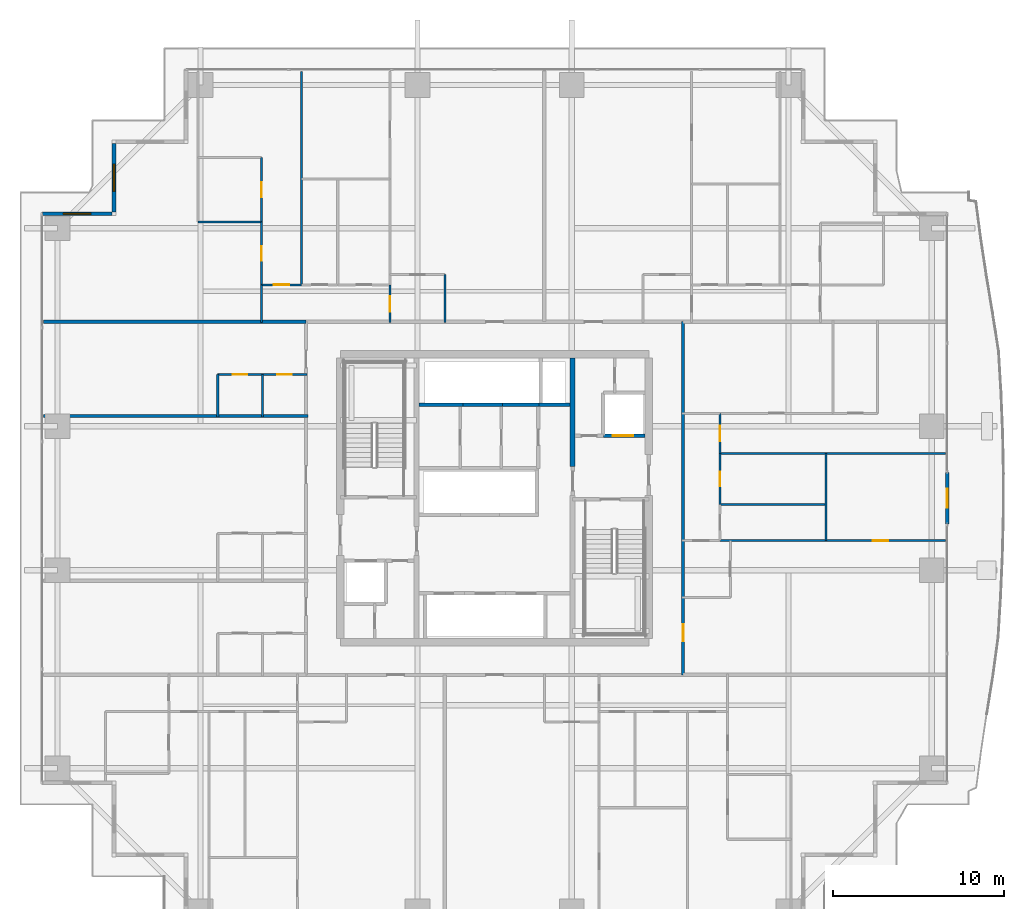
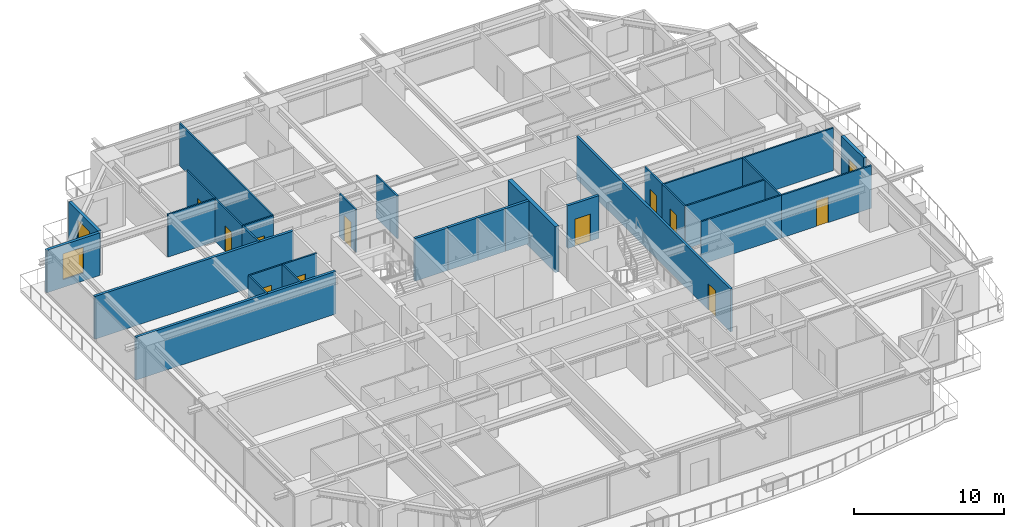
# One storey, part 30 of 39: 31 walls, 12 doors, 2 windows, 14 openings.
"""IFC4 building model written with IfcOpenShell, lengths in metres."""

import ifcopenshell
import ifcopenshell.guid

model = None  # the IFC model being written
_history = None  # IfcOwnerHistory: only IFC2X3 demands one
_inside = {}  # id of a spatial element -> (the spatial element, [elements in it])
_under = {}  # id of a project, library or spatial element -> (it, [spatial elements below it])
_declared = {}  # id of a project -> (the project, [libraries it declares])
_typed = {}  # id of a type object -> (the type object, [elements of that type])
_made_of = {}  # id of a material, layer set ... -> (it, [elements and type objects made of it])


def new_model(schema):
    """Start an empty IFC model of exactly this schema.

    Asked for "IFC4X3", IfcOpenShell would pick the latest addendum, in which some entities
    have other attributes; the version numbers below select the first issue.
    IFC2X3 requires an IfcOwnerHistory on every rooted entity: one is made here for all.
    """
    global model, _history
    if schema == "IFC4X3":
        model = ifcopenshell.file(schema_version=(4, 3, 0, 0))
    else:
        model = ifcopenshell.file(schema=schema)
    _inside.clear()
    _under.clear()
    _declared.clear()
    _typed.clear()
    _made_of.clear()
    _history = None
    if model.schema == "IFC2X3":
        org = make("IfcOrganization", Name="unknown")
        user = make(
            "IfcPersonAndOrganization",
            ThePerson=make("IfcPerson", FamilyName="unknown"),
            TheOrganization=org,
        )
        app = make(
            "IfcApplication",
            ApplicationDeveloper=org,
            Version="unknown",
            ApplicationFullName="unknown",
            ApplicationIdentifier="unknown",
        )
        _history = make(
            "IfcOwnerHistory",
            OwningUser=user,
            OwningApplication=app,
            ChangeAction="ADDED",
            CreationDate=0,
        )
    return model


def make(cls, **values):
    """One entity of the class cls with the attributes given. An attribute that is None is left unset."""
    return model.create_entity(
        cls, **{name: value for name, value in values.items() if value is not None}
    )


def rooted(cls, **values):
    """An entity with a GlobalId (a new one), such as an element, a storey or a relation."""
    return make(cls, GlobalId=ifcopenshell.guid.new(), OwnerHistory=_history, **values)


def si_unit(unit_type, name, prefix=None):
    """IfcSIUnit, for example si_unit("LENGTHUNIT", "METRE", prefix="MILLI")."""
    return make("IfcSIUnit", UnitType=unit_type, Prefix=prefix, Name=name)


def assignment(units):
    """IfcUnitAssignment: the units of a project."""
    return None if units is None else make("IfcUnitAssignment", Units=units)


def point(xyz):
    """IfcCartesianPoint."""
    return None if xyz is None else make("IfcCartesianPoint", Coordinates=xyz)


def direction(xyz):
    """IfcDirection."""
    return None if xyz is None else make("IfcDirection", DirectionRatios=xyz)


def frame(location, z_axis=None, x_axis=None):
    """IfcAxis2Placement3D, a coordinate frame: its origin and axes. An axis left out is left unset."""
    return make(
        "IfcAxis2Placement3D",
        Location=point(location),
        Axis=direction(z_axis),
        RefDirection=direction(x_axis),
    )


def frame_2d(location, x_axis=None):
    """IfcAxis2Placement2D, a coordinate frame in the plane: its origin and x axis."""
    return make(
        "IfcAxis2Placement2D", Location=point(location), RefDirection=direction(x_axis)
    )


def origin():
    """The frame at (0, 0, 0) with its axes left unset."""
    return frame((0.0, 0.0, 0.0))


def place(relative_to, where):
    """IfcLocalPlacement: puts the frame where relative to a parent placement (None: the world)."""
    return make(
        "IfcLocalPlacement", PlacementRelTo=relative_to, RelativePlacement=where
    )


def context(
    kind, dimensions, precision=None, world=None, true_north=None, identifier=None
):
    """IfcGeometricRepresentationContext, for example the 3D "Model" context."""
    return make(
        "IfcGeometricRepresentationContext",
        ContextIdentifier=identifier,
        ContextType=kind,
        CoordinateSpaceDimension=dimensions,
        Precision=precision,
        WorldCoordinateSystem=world,
        TrueNorth=true_north,
    )


def subcontext(parent, identifier, kind, view, scale=None):
    """IfcGeometricRepresentationSubContext, for example "Body" below "Model"."""
    return make(
        "IfcGeometricRepresentationSubContext",
        ContextIdentifier=identifier,
        ContextType=kind,
        ParentContext=parent,
        TargetScale=scale,
        TargetView=view,
    )


def project(units=None, contexts=None):
    """IfcProject with its units and contexts."""
    return rooted(
        "IfcProject",
        Name="project",
        RepresentationContexts=contexts,
        UnitsInContext=assignment(units),
    )


def spatial(cls, under=None, at=None, **own):
    """A site, building, storey or space (cls), placed at a placement, below another one or the project."""
    s = rooted(cls, ObjectPlacement=at, **own)
    if under is not None:
        _under.setdefault(under.id(), (under, []))[1].append(s)
    return s


def profile(cls, at=None, kind="AREA", **sizes):
    """A parametric profile (cls). Its sizes go by their IFC names, for example OverallWidth=200.0."""
    return make(cls, ProfileType=kind, Position=at, **sizes)


def rectangle(**sizes):
    """IfcRectangleProfileDef."""
    return profile("IfcRectangleProfileDef", **sizes)


def extrude(swept, where, along, depth):
    """IfcExtrudedAreaSolid: the profile swept, set in the frame where, extruded along a direction by depth."""
    return make(
        "IfcExtrudedAreaSolid",
        SweptArea=swept,
        Position=where,
        ExtrudedDirection=direction(along),
        Depth=depth,
    )


def shape(context_of_items, identifier, shape_type, items):
    """IfcShapeRepresentation: the items that make up one representation, for example the "Body"."""
    return make(
        "IfcShapeRepresentation",
        ContextOfItems=context_of_items,
        RepresentationIdentifier=identifier,
        RepresentationType=shape_type,
        Items=items,
    )


def source(mapping_origin, context_of_items, identifier, shape_type, items):
    """IfcRepresentationMap: a shape defined once, which mapped items show again and again."""
    return make(
        "IfcRepresentationMap",
        MappingOrigin=mapping_origin,
        MappedRepresentation=shape(context_of_items, identifier, shape_type, items),
    )


def transform(
    local_origin,
    x_axis=None,
    y_axis=None,
    z_axis=None,
    scale=None,
    scale2=None,
    scale3=None,
    uniform=True,
):
    """IfcCartesianTransformationOperator3D, or its non-uniform kind. x_axis, y_axis, z_axis: its Axis1, 2, 3."""
    if uniform:
        return make(
            "IfcCartesianTransformationOperator3D",
            Axis1=direction(x_axis),
            Axis2=direction(y_axis),
            LocalOrigin=point(local_origin),
            Scale=scale,
            Axis3=direction(z_axis),
        )
    return make(
        "IfcCartesianTransformationOperator3DnonUniform",
        Axis1=direction(x_axis),
        Axis2=direction(y_axis),
        LocalOrigin=point(local_origin),
        Scale=scale,
        Axis3=direction(z_axis),
        Scale2=scale2,
        Scale3=scale3,
    )


def mapped(mapping_source, mapping_target):
    """IfcMappedItem: shows the shape of a source again, moved by a transform."""
    return make(
        "IfcMappedItem", MappingSource=mapping_source, MappingTarget=mapping_target
    )


def material(Name=None, Category=None):
    """IfcMaterial."""
    return make("IfcMaterial", Name=Name, Category=Category)


def layer(
    of_material, thickness, ventilated=None, Name=None, Category=None, Priority=None
):
    """IfcMaterialLayer: one layer of a wall or slab, of a material (None: an air gap)."""
    return make(
        "IfcMaterialLayer",
        Material=of_material,
        LayerThickness=thickness,
        IsVentilated=ventilated,
        Name=Name,
        Category=Category,
        Priority=Priority,
    )


def layer_set(layers, Name=None):
    """IfcMaterialLayerSet."""
    return make("IfcMaterialLayerSet", MaterialLayers=layers, LayerSetName=Name)


def made_of(thing, what):
    """Note that an element or type object is made of a material, layer set ...; save() writes the relation."""
    if what is not None:
        _made_of.setdefault(what.id(), (what, []))[1].append(thing)
    return thing


def type_object(cls, material=None, **own):
    """A type object (cls), such as IfcWallType, which elements share."""
    return made_of(rooted(cls, **own), material)


def element(
    cls,
    number,
    at=None,
    inside=None,
    cuts=None,
    type_object=None,
    material=None,
    context=None,
    identifier="Body",
    shape_type=None,
    held_by="IfcProductDefinitionShape",
    body=None,
    shapes=None,
    **own,
):
    """One element of the class cls, such as IfcWall. Its Tag is "e" and its number.

    at: its placement. inside: the storey or other place that contains it. cuts: it is an
    opening in that element (IfcRelVoidsElement). A single representation is given by context,
    identifier, shape_type and body (its items); several are given by shapes. held_by: the class
    of the entity that holds the representations. save() writes the other relations.
    """
    e = rooted(cls, Tag="e%d" % number, ObjectPlacement=at, **own)
    if body is not None:
        shapes = [shape(context, identifier, shape_type, body)]
    if shapes is not None:
        e.Representation = make(held_by, Representations=shapes)
    if inside is not None:
        _inside.setdefault(inside.id(), (inside, []))[1].append(e)
    if cuts is not None:
        rooted(
            "IfcRelVoidsElement", RelatingBuildingElement=cuts, RelatedOpeningElement=e
        )
    if type_object is not None:
        _typed.setdefault(type_object.id(), (type_object, []))[1].append(e)
    return made_of(e, material)


def fill(opening, filler):
    """IfcRelFillsElement: the door or window that sits in an opening."""
    return rooted(
        "IfcRelFillsElement",
        RelatingOpeningElement=opening,
        RelatedBuildingElement=filler,
    )


def aggregate(whole, parts):
    """IfcRelAggregates: a whole, such as a stair, and the parts it consists of."""
    return rooted("IfcRelAggregates", RelatingObject=whole, RelatedObjects=parts)


def save(model, path):
    """Write the relations noted so far, then the file.

    IfcRelAggregates (storeys below a building ...), IfcRelContainedInSpatialStructure (elements
    in a storey), IfcRelDefinesByType, IfcRelAssociatesMaterial and IfcRelDeclares: one each for
    every whole, place, type object, material and project.
    """
    for whole, parts in _under.values():
        aggregate(whole, parts)
    for where, things in _inside.values():
        rooted(
            "IfcRelContainedInSpatialStructure",
            RelatedElements=things,
            RelatingStructure=where,
        )
    for kind, things in _typed.values():
        rooted("IfcRelDefinesByType", RelatedObjects=things, RelatingType=kind)
    for what, things in _made_of.values():
        rooted("IfcRelAssociatesMaterial", RelatedObjects=things, RelatingMaterial=what)
    for by, libraries in _declared.values():
        rooted("IfcRelDeclares", RelatingContext=by, RelatedDefinitions=libraries)
    model.write(path)


model = new_model("IFC4")

# Units and contexts
model_context = context("Model", 3, precision=1e-05, world=origin(), true_north=direction((0.0, 1.0)))
body_context = subcontext(model_context, "Body", "Model", "MODEL_VIEW")
ifc_project = project(units=[si_unit("LENGTHUNIT", "METRE"), si_unit("AREAUNIT", "SQUARE_METRE"), si_unit("VOLUMEUNIT", "CUBIC_METRE"), si_unit("PLANEANGLEUNIT", "RADIAN"), si_unit("MASSUNIT", "GRAM", prefix="KILO")], contexts=[model_context])

# Site, building, storey
site_placement = place(None, origin())
site = spatial("IfcSite", under=ifc_project, at=site_placement, CompositionType="ELEMENT")
building_placement = place(site_placement, origin())
building = spatial("IfcBuilding", under=site, at=building_placement, Name="Serunith Strait Residences", CompositionType="ELEMENT")
storey_placement = place(building_placement, frame((0.0, 0.0, 79.199951171875)))
storey = spatial("IfcBuildingStorey", under=building, at=storey_placement, Name="L19", CompositionType="ELEMENT", Elevation=79.199951171875)

# Wall, opening, door
ifc_material_1 = material(Name="Pale-Champagne Aluminium Insulated Panel", Category="aluminium")
ifc_layer_1 = layer(ifc_material_1, 0.219970703125, Name="Pale-Champagne Aluminium Insulated Panel")
ifc_layer_set_1 = layer_set([ifc_layer_1], Name="Pale-Champagne Aluminium Insulated Panel")
wall_type_1 = type_object("IfcWallType", Name="EW-ALUM-220", PredefinedType="ELEMENTEDWALL", material=ifc_layer_set_1)
wall_1_placement = place(storey_placement, frame((58.800048828125, 23.699951171875, 0.0), z_axis=(0.0, 0.0, 1.0), x_axis=(0.0, 1.0, 0.0)))
wall_1 = element("IfcWall", 1, at=wall_1_placement, inside=storey, type_object=wall_type_1, Name="L19 E Facade Pier Wall", PredefinedType="ELEMENTEDWALL", context=body_context, shape_type="SweptSolid", body=[
    extrude(rectangle(XDim=3.0, YDim=0.219970703125, at=frame_2d((1.5, 0.0))), origin(), (0.0, 0.0, 1.0), 3.47509765625),
])
opening_1_placement = place(wall_1_placement, frame((0.949951171875, 0.0, 0.0)))
opening_1 = element("IfcOpeningElement", 2, at=opening_1_placement, cuts=wall_1, Name="Opening ED-03", PredefinedType="OPENING", context=body_context, shape_type="SweptSolid", body=[
    extrude(rectangle(XDim=1.10009765625, YDim=2.199951171875, at=frame_2d((0.550048828125, 1.10009765625))), frame((0.0, 0.1201171875, 0.0), z_axis=(0.0, -1.0, 0.0), x_axis=(1.0, 0.0, 0.0)), (0.0, 0.0, 1.0), 0.239990234375),
])
ifc_material_2 = material(Name="Thermally-Broken Aluminium Glazed Balcony Door", Category="aluminium")
door_type_1 = type_object("IfcDoorType", Name="ED-BALC-1100", OperationType="NOTDEFINED", PredefinedType="DOOR", material=ifc_material_2)
shared_shape_1 = source(origin(), body_context, "Body", "SweptSolid", [
    extrude(rectangle(XDim=1.10009765625, YDim=2.199951171875, at=frame_2d((0.550048828125, 1.10009765625))), frame((0.0, 0.02490234375, 0.0), z_axis=(0.0, -1.0, 0.0), x_axis=(1.0, 0.0, 0.0)), (0.0, 0.0, 1.0), 0.050048828125),
])
door_1_placement = place(opening_1_placement, origin())
door_1 = element("IfcDoor", 3, at=door_1_placement, inside=storey, type_object=door_type_1, Name="L19 E Vertical-Forest Balcony Door", OperationType="SINGLE_SWING_RIGHT", OverallHeight=2.199951171875, OverallWidth=1.10009765625, PredefinedType="DOOR", context=body_context, shape_type="MappedRepresentation", body=[
    mapped(shared_shape_1, transform((0.0, 0.0, 0.0), scale=1.0)),
])
fill(opening_1, door_1)

# Wall, opening, window
wall_2_placement = place(storey_placement, frame((10.199951171875, 45.889892578125, 0.0), z_axis=(0.0, 0.0, 1.0), x_axis=(0.0, -1.0, 0.0)))
wall_2 = element("IfcWall", 4, at=wall_2_placement, inside=storey, type_object=wall_type_1, Name="L19 Girih Serrated Corner Wall 14", PredefinedType="ELEMENTEDWALL", context=body_context, shape_type="SweptSolid", body=[
    extrude(rectangle(XDim=3.97998046875, YDim=0.219970703125, at=frame_2d((1.989990234375, 0.0))), origin(), (0.0, 0.0, 1.0), 3.47509765625),
])
opening_2_placement = place(wall_2_placement, frame((1.18994140625, 0.0, 0.64990234375)))
opening_2 = element("IfcOpeningElement", 5, at=opening_2_placement, cuts=wall_2, Name="Opening W-02", PredefinedType="OPENING", context=body_context, shape_type="SweptSolid", body=[
    extrude(rectangle(XDim=1.60009765625, YDim=2.10009765625, at=frame_2d((0.800048828125, 1.050048828125))), frame((0.0, 0.1201171875, 0.0), z_axis=(0.0, -1.0, 0.0), x_axis=(1.0, 0.0, 0.0)), (0.0, 0.0, 1.0), 0.239990234375),
])
ifc_material_3 = material(Name="Ceramic-Fritted Operable Aluminium Window Glass", Category="aluminium")
window_type = type_object("IfcWindowType", Name="WIN-C2", PartitioningType="DOUBLE_PANEL_VERTICAL", PredefinedType="WINDOW", material=ifc_material_3)
shared_shape_2 = source(origin(), body_context, "Body", "SweptSolid", [
    extrude(rectangle(XDim=1.60009765625, YDim=2.10009765625, at=frame_2d((0.800048828125, 1.050048828125))), frame((0.0, 0.030029296875, 0.0), z_axis=(0.0, -1.0, 0.0), x_axis=(1.0, 0.0, 0.0)), (0.0, 0.0, 1.0), 0.06005859375),
])
window_1_placement = place(opening_2_placement, origin())
window_1 = element("IfcWindow", 6, at=window_1_placement, inside=storey, type_object=window_type, Name="L19 Corner Operable Fritted Window 14", OverallHeight=2.10009765625, OverallWidth=1.60009765625, PartitioningType="SINGLE_PANEL", PredefinedType="WINDOW", context=body_context, shape_type="MappedRepresentation", body=[
    mapped(shared_shape_2, transform((0.0, 0.0, 0.0), scale=1.0)),
])
fill(opening_2, window_1)

wall_3_placement = place(storey_placement, frame((10.090087890625, 41.800048828125, 0.0), z_axis=(0.0, 0.0, 1.0), x_axis=(-1.0, 0.0, 0.0)))
wall_3 = element("IfcWall", 7, at=wall_3_placement, inside=storey, type_object=wall_type_1, Name="L19 Girih Serrated Corner Wall 15", PredefinedType="ELEMENTEDWALL", context=body_context, shape_type="SweptSolid", body=[
    extrude(rectangle(XDim=4.090087890625, YDim=0.219970703125, at=frame_2d((2.044921875, 0.0))), origin(), (0.0, 0.0, 1.0), 3.47509765625),
])
opening_3_placement = place(wall_3_placement, frame((1.2451171875, 0.0, 0.64990234375)))
opening_3 = element("IfcOpeningElement", 8, at=opening_3_placement, cuts=wall_3, Name="Opening W-02", PredefinedType="OPENING", context=body_context, shape_type="SweptSolid", body=[
    extrude(rectangle(XDim=1.60009765625, YDim=2.10009765625, at=frame_2d((0.800048828125, 1.050048828125))), frame((0.0, 0.1201171875, 0.0), z_axis=(0.0, -1.0, 0.0), x_axis=(1.0, 0.0, 0.0)), (0.0, 0.0, 1.0), 0.239990234375),
])
window_2_placement = place(opening_3_placement, origin())
window_2 = element("IfcWindow", 9, at=window_2_placement, inside=storey, type_object=window_type, Name="L19 Corner Operable Fritted Window 15", OverallHeight=2.10009765625, OverallWidth=1.60009765625, PartitioningType="SINGLE_PANEL", PredefinedType="WINDOW", context=body_context, shape_type="MappedRepresentation", body=[
    mapped(shared_shape_2, transform((0.0, 0.0, 0.0), scale=1.0)),
])
fill(opening_3, window_2)

# Wall, opening, door
ifc_material_4 = material(Name="Fire-rated acoustic gypsum partition")
ifc_layer_2 = layer(ifc_material_4, 0.179931640625, Name="Fire-rated acoustic gypsum partition")
ifc_layer_set_2 = layer_set([ifc_layer_2], Name="Fire-rated acoustic gypsum partition")
wall_type_2 = type_object("IfcWallType", Name="IW-CORR-180", PredefinedType="PARTITIONING", material=ifc_layer_set_2)
wall_4_placement = place(storey_placement, frame((43.39990234375, 14.89990234375, 0.0), z_axis=(0.0, 0.0, 1.0), x_axis=(0.0, 1.0, 0.0)))
wall_4 = element("IfcWall", 10, at=wall_4_placement, inside=storey, type_object=wall_type_2, Name="L19 Partition Wall 028", PredefinedType="PARTITIONING", context=body_context, shape_type="SweptSolid", body=[
    extrude(rectangle(XDim=20.60009765625, YDim=0.179931640625, at=frame_2d((10.300048828125, 0.0))), origin(), (0.0, 0.0, 1.0), 3.489990234375),
])
opening_4_placement = place(wall_4_placement, frame((1.9599609375, 0.0, 0.0)))
opening_4 = element("IfcOpeningElement", 11, at=opening_4_placement, cuts=wall_4, Name="Opening D-APT1000", PredefinedType="OPENING", context=body_context, shape_type="SweptSolid", body=[
    extrude(rectangle(XDim=1.0, YDim=2.14990234375, at=frame_2d((0.5, 1.074951171875))), frame((0.0, 0.10009765625, 0.0), z_axis=(0.0, -1.0, 0.0), x_axis=(1.0, 0.0, 0.0)), (0.0, 0.0, 1.0), 0.199951171875),
])
ifc_material_5 = material(Name="Solid timber engineered fire door", Category="wood")
door_type_2 = type_object("IfcDoorType", Name="ID-APT-1000", OperationType="NOTDEFINED", PredefinedType="DOOR", material=ifc_material_5)
shared_shape_3 = source(origin(), body_context, "Body", "SweptSolid", [
    extrude(rectangle(XDim=1.0, YDim=2.14990234375, at=frame_2d((0.5, 1.074951171875))), frame((0.0, 0.02490234375, 0.0), z_axis=(0.0, -1.0, 0.0), x_axis=(1.0, 0.0, 0.0)), (0.0, 0.0, 1.0), 0.050048828125),
])
door_2_placement = place(opening_4_placement, origin())
door_2 = element("IfcDoor", 12, at=door_2_placement, inside=storey, type_object=door_type_2, Name="L19 Unit 08 Entrance Door", OperationType="SINGLE_SWING_LEFT", OverallHeight=2.14990234375, OverallWidth=1.0, PredefinedType="DOOR", context=body_context, shape_type="MappedRepresentation", body=[
    mapped(shared_shape_3, transform((0.0, 0.0, 0.0), scale=1.0)),
])
fill(opening_4, door_2)

# Wall
ifc_material_6 = material(Name="Lightweight steel-stud gypsum partition", Category="steel")
ifc_layer_3 = layer(ifc_material_6, 0.1201171875, Name="Lightweight steel-stud gypsum partition")
ifc_layer_set_3 = layer_set([ifc_layer_3], Name="Lightweight steel-stud gypsum partition")
wall_type_3 = type_object("IfcWallType", Name="IW-PART-120", PredefinedType="PARTITIONING", material=ifc_layer_set_3)
wall_5_placement = place(storey_placement, frame((29.5, 38.25, 0.0), z_axis=(0.0, 0.0, 1.0), x_axis=(0.0, -1.0, 0.0)))
element("IfcWall", 13, at=wall_5_placement, inside=storey, type_object=wall_type_3, Name="L19 Partition Wall 063", PredefinedType="PARTITIONING", context=body_context, shape_type="SweptSolid", body=[
    extrude(rectangle(XDim=2.81005859375, YDim=0.1201171875, at=frame_2d((1.405029296875, 0.0))), origin(), (0.0, 0.0, 1.0), 3.489990234375),
])

# Wall, opening, door
wall_6_placement = place(storey_placement, frame((26.300048828125, 37.64990234375, 0.0), z_axis=(0.0, 0.0, 1.0), x_axis=(0.0, -1.0, 0.0)))
wall_6 = element("IfcWall", 14, at=wall_6_placement, inside=storey, type_object=wall_type_3, Name="L19 Partition Wall 064", PredefinedType="PARTITIONING", context=body_context, shape_type="SweptSolid", body=[
    extrude(rectangle(XDim=2.2099609375, YDim=0.1201171875, at=frame_2d((1.10498046875, 0.0))), origin(), (0.0, 0.0, 1.0), 3.489990234375),
])
opening_5_placement = place(wall_6_placement, frame((0.655029296875, 0.0, 0.0)))
opening_5 = element("IfcOpeningElement", 15, at=opening_5_placement, cuts=wall_6, Name="Opening D-RM900", PredefinedType="OPENING", context=body_context, shape_type="SweptSolid", body=[
    extrude(rectangle(XDim=0.89990234375, YDim=2.10009765625, at=frame_2d((0.449951171875, 1.050048828125))), frame((0.0, 0.070068359375, 0.0), z_axis=(0.0, -1.0, 0.0), x_axis=(1.0, 0.0, 0.0)), (0.0, 0.0, 1.0), 0.14013671875),
])
ifc_material_7 = material(Name="Engineered timber flush bedroom door", Category="wood")
door_type_3 = type_object("IfcDoorType", Name="ID-ROOM-900", OperationType="NOTDEFINED", PredefinedType="DOOR", material=ifc_material_7)
shared_shape_4 = source(origin(), body_context, "Body", "SweptSolid", [
    extrude(rectangle(XDim=0.89990234375, YDim=2.10009765625, at=frame_2d((0.449951171875, 1.050048828125))), frame((0.0, 0.02490234375, 0.0), z_axis=(0.0, -1.0, 0.0), x_axis=(1.0, 0.0, 0.0)), (0.0, 0.0, 1.0), 0.050048828125),
])
door_3_placement = place(opening_5_placement, origin())
door_3 = element("IfcDoor", 16, at=door_3_placement, inside=storey, type_object=door_type_3, Name="L19 Hall W 1903 Door", OperationType="SINGLE_SWING_LEFT", OverallHeight=2.10009765625, OverallWidth=0.89990234375, PredefinedType="DOOR", context=body_context, shape_type="MappedRepresentation", body=[
    mapped(shared_shape_4, transform((0.0, 0.0, 0.0), scale=1.0)),
])
fill(opening_5, door_3)

# Wall
wall_7_placement = place(storey_placement, frame((21.14990234375, 50.10498046875, 0.0), z_axis=(0.0, 0.0, 1.0), x_axis=(0.0, -1.0, 0.0)))
element("IfcWall", 17, at=wall_7_placement, inside=storey, type_object=wall_type_3, Name="L19 Partition Wall 068", PredefinedType="PARTITIONING", context=body_context, shape_type="SweptSolid", body=[
    extrude(rectangle(XDim=12.455078125, YDim=0.1201171875, at=frame_2d((6.2275390625, 0.0))), origin(), (0.0, 0.0, 1.0), 3.489990234375),
])

# Wall, opening, door
wall_8_placement = place(storey_placement, frame((18.800048828125, 37.64990234375, 0.0), z_axis=(0.0, 0.0, 1.0), x_axis=(1.0, 0.0, 0.0)))
wall_8 = element("IfcWall", 18, at=wall_8_placement, inside=storey, type_object=wall_type_3, Name="L19 Partition Wall 072", PredefinedType="PARTITIONING", context=body_context, shape_type="SweptSolid", body=[
    extrude(rectangle(XDim=2.347900390625, YDim=0.1201171875, at=frame_2d((1.173828125, 0.0))), origin(), (0.0, 0.0, 1.0), 3.489990234375),
])
opening_6_placement = place(wall_8_placement, frame((0.72412109375, 0.0, 0.0)))
opening_6 = element("IfcOpeningElement", 19, at=opening_6_placement, cuts=wall_8, Name="Opening D-RM900", PredefinedType="OPENING", context=body_context, shape_type="SweptSolid", body=[
    extrude(rectangle(XDim=0.89990234375, YDim=2.10009765625, at=frame_2d((0.449951171875, 1.050048828125))), frame((0.0, 0.070068359375, 0.0), z_axis=(0.0, -1.0, 0.0), x_axis=(1.0, 0.0, 0.0)), (0.0, 0.0, 1.0), 0.14013671875),
])
door_4_placement = place(opening_6_placement, origin())
door_4 = element("IfcDoor", 20, at=door_4_placement, inside=storey, type_object=door_type_3, Name="L19 Master Bedroom W 1903 Door", OperationType="SINGLE_SWING_LEFT", OverallHeight=2.10009765625, OverallWidth=0.89990234375, PredefinedType="DOOR", context=body_context, shape_type="MappedRepresentation", body=[
    mapped(shared_shape_4, transform((0.0, 0.0, 0.0), scale=1.0)),
])
fill(opening_6, door_4)

# Wall
wall_9_placement = place(storey_placement, frame((15.10009765625, 41.306884765625, 0.0), z_axis=(0.0, 0.0, 1.0), x_axis=(1.0, 0.0, 0.0)))
element("IfcWall", 21, at=wall_9_placement, inside=storey, type_object=wall_type_3, Name="L19 Partition Wall 075", PredefinedType="PARTITIONING", context=body_context, shape_type="SweptSolid", body=[
    extrude(rectangle(XDim=3.699951171875, YDim=0.1201171875, at=frame_2d((1.85009765625, 0.0))), origin(), (0.0, 0.0, 1.0), 3.489990234375),
])

# Wall, opening, door
wall_10_placement = place(storey_placement, frame((18.800048828125, 45.091064453125, 0.0), z_axis=(0.0, 0.0, 1.0), x_axis=(0.0, -1.0, 0.0)))
wall_10 = element("IfcWall", 22, at=wall_10_placement, inside=storey, type_object=wall_type_3, Name="L19 Partition Wall 076", PredefinedType="PARTITIONING", context=body_context, shape_type="SweptSolid", body=[
    extrude(rectangle(XDim=3.7841796875, YDim=0.1201171875, at=frame_2d((1.89208984375, 0.0))), origin(), (0.0, 0.0, 1.0), 3.489990234375),
])
opening_7_placement = place(wall_10_placement, frame((1.467041015625, 0.0, 0.0)))
opening_7 = element("IfcOpeningElement", 23, at=opening_7_placement, cuts=wall_10, Name="Opening D-BTH850", PredefinedType="OPENING", context=body_context, shape_type="SweptSolid", body=[
    extrude(rectangle(XDim=0.85009765625, YDim=2.10009765625, at=frame_2d((0.425048828125, 1.050048828125))), frame((0.0, 0.070068359375, 0.0), z_axis=(0.0, -1.0, 0.0), x_axis=(1.0, 0.0, 0.0)), (0.0, 0.0, 1.0), 0.14013671875),
])
ifc_material_8 = material(Name="Moisture-resistant timber bathroom door", Category="wood")
door_type_4 = type_object("IfcDoorType", Name="ID-BATH-850", OperationType="NOTDEFINED", PredefinedType="DOOR", material=ifc_material_8)
shared_shape_5 = source(origin(), body_context, "Body", "SweptSolid", [
    extrude(rectangle(XDim=0.85009765625, YDim=2.10009765625, at=frame_2d((0.425048828125, 1.050048828125))), frame((0.0, 0.02490234375, 0.0), z_axis=(0.0, -1.0, 0.0), x_axis=(1.0, 0.0, 0.0)), (0.0, 0.0, 1.0), 0.050048828125),
])
door_5_placement = place(opening_7_placement, origin())
door_5 = element("IfcDoor", 24, at=door_5_placement, inside=storey, type_object=door_type_4, Name="L19 En-suite Bathroom W 1903 Door", OperationType="SINGLE_SWING_RIGHT", OverallHeight=2.10009765625, OverallWidth=0.85009765625, PredefinedType="DOOR", context=body_context, shape_type="MappedRepresentation", body=[
    mapped(shared_shape_5, transform((0.0, 0.0, 0.0), scale=1.0)),
])
fill(opening_7, door_5)

wall_11_placement = place(storey_placement, frame((18.800048828125, 41.304931640625, 0.0), z_axis=(0.0, 0.0, 1.0), x_axis=(0.0, -1.0, 0.0)))
wall_11 = element("IfcWall", 25, at=wall_11_placement, inside=storey, type_object=wall_type_3, Name="L19 Partition Wall 077", PredefinedType="PARTITIONING", context=body_context, shape_type="SweptSolid", body=[
    extrude(rectangle(XDim=3.655029296875, YDim=0.1201171875, at=frame_2d((1.82763671875, 0.0))), origin(), (0.0, 0.0, 1.0), 3.489990234375),
])
opening_8_placement = place(wall_11_placement, frame((1.403076171875, 0.0, 0.0)))
opening_8 = element("IfcOpeningElement", 26, at=opening_8_placement, cuts=wall_11, Name="Opening D-RM850", PredefinedType="OPENING", context=body_context, shape_type="SweptSolid", body=[
    extrude(rectangle(XDim=0.85009765625, YDim=2.10009765625, at=frame_2d((0.425048828125, 1.050048828125))), frame((0.0, 0.070068359375, 0.0), z_axis=(0.0, -1.0, 0.0), x_axis=(1.0, 0.0, 0.0)), (0.0, 0.0, 1.0), 0.14013671875),
])
ifc_material_9 = material(Name="Engineered timber flush study and kitchen door", Category="wood")
door_type_5 = type_object("IfcDoorType", Name="ID-ROOM-850", OperationType="NOTDEFINED", PredefinedType="DOOR", material=ifc_material_9)
door_6_placement = place(opening_8_placement, origin())
door_6 = element("IfcDoor", 27, at=door_6_placement, inside=storey, type_object=door_type_5, Name="L19 Wardrobe W 1903 Door", OperationType="SINGLE_SWING_LEFT", OverallHeight=2.10009765625, OverallWidth=0.85009765625, PredefinedType="DOOR", context=body_context, shape_type="MappedRepresentation", body=[
    mapped(shared_shape_5, transform((0.0, 0.0, 0.0), scale=1.0)),
])
fill(opening_8, door_6)

# Wall
wall_12_placement = place(storey_placement, frame((18.800048828125, 37.64794921875, 0.0), z_axis=(0.0, 0.0, 1.0), x_axis=(0.0, -1.0, 0.0)))
element("IfcWall", 28, at=wall_12_placement, inside=storey, type_object=wall_type_3, Name="L19 Partition Wall 078", PredefinedType="PARTITIONING", context=body_context, shape_type="SweptSolid", body=[
    extrude(rectangle(XDim=2.2080078125, YDim=0.1201171875, at=frame_2d((1.10400390625, 0.0))), origin(), (0.0, 0.0, 1.0), 3.489990234375),
])

# Wall, opening, door
wall_13_placement = place(storey_placement, frame((16.25, 32.419921875, 0.0), z_axis=(0.0, 0.0, 1.0), x_axis=(1.0, 0.0, 0.0)))
wall_13 = element("IfcWall", 29, at=wall_13_placement, inside=storey, type_object=wall_type_3, Name="L19 Partition Wall 103", PredefinedType="PARTITIONING", context=body_context, shape_type="SweptSolid", body=[
    extrude(rectangle(XDim=2.60009765625, YDim=0.1201171875, at=frame_2d((1.300048828125, 0.0))), origin(), (0.0, 0.0, 1.0), 3.489990234375),
])
opening_9_placement = place(wall_13_placement, frame((0.875, 0.0, 0.0)))
opening_9 = element("IfcOpeningElement", 30, at=opening_9_placement, cuts=wall_13, Name="Opening D-RM850", PredefinedType="OPENING", context=body_context, shape_type="SweptSolid", body=[
    extrude(rectangle(XDim=0.85009765625, YDim=2.10009765625, at=frame_2d((0.425048828125, 1.050048828125))), frame((0.0, 0.070068359375, 0.0), z_axis=(0.0, -1.0, 0.0), x_axis=(1.0, 0.0, 0.0)), (0.0, 0.0, 1.0), 0.14013671875),
])
door_7_placement = place(opening_9_placement, origin())
door_7 = element("IfcDoor", 31, at=door_7_placement, inside=storey, type_object=door_type_5, Name="L19 Kitchen 1907 Door", OperationType="SINGLE_SWING_RIGHT", OverallHeight=2.10009765625, OverallWidth=0.85009765625, PredefinedType="DOOR", context=body_context, shape_type="MappedRepresentation", body=[
    mapped(shared_shape_5, transform((0.0, 0.0, 0.0), scale=1.0)),
])
fill(opening_9, door_7)

wall_14_placement = place(storey_placement, frame((18.85205078125, 32.419921875, 0.0), z_axis=(0.0, 0.0, 1.0), x_axis=(1.0, 0.0, 0.0)))
wall_14 = element("IfcWall", 32, at=wall_14_placement, inside=storey, type_object=wall_type_3, Name="L19 Partition Wall 104", PredefinedType="PARTITIONING", context=body_context, shape_type="SweptSolid", body=[
    extrude(rectangle(XDim=2.60791015625, YDim=0.1201171875, at=frame_2d((1.303955078125, 0.0))), origin(), (0.0, 0.0, 1.0), 3.489990234375),
])
opening_10_placement = place(wall_14_placement, frame((0.87890625, 0.0, 0.0)))
opening_10 = element("IfcOpeningElement", 33, at=opening_10_placement, cuts=wall_14, Name="Opening D-BTH850", PredefinedType="OPENING", context=body_context, shape_type="SweptSolid", body=[
    extrude(rectangle(XDim=0.85009765625, YDim=2.10009765625, at=frame_2d((0.425048828125, 1.050048828125))), frame((0.0, 0.070068359375, 0.0), z_axis=(0.0, -1.0, 0.0), x_axis=(1.0, 0.0, 0.0)), (0.0, 0.0, 1.0), 0.14013671875),
])
door_8_placement = place(opening_10_placement, origin())
door_8 = element("IfcDoor", 34, at=door_8_placement, inside=storey, type_object=door_type_4, Name="L19 Bathroom 1907 Door", OperationType="SINGLE_SWING_LEFT", OverallHeight=2.10009765625, OverallWidth=0.85009765625, PredefinedType="DOOR", context=body_context, shape_type="MappedRepresentation", body=[
    mapped(shared_shape_5, transform((0.0, 0.0, 0.0), scale=1.0)),
])
fill(opening_10, door_8)

# Walls
for number, where, z_axis, x_axis, name in (
    (35, (18.85009765625, 29.93994140625, 0.0), (0.0, 0.0, 1.0), (0.0, 1.0, 0.0), "L19 Partition Wall 105"),
    (36, (16.25, 29.93994140625, 0.0), (0.0, 0.0, 1.0), (0.0, 1.0, 0.0), "L19 Partition Wall 106"),
):
    element("IfcWall", number, at=place(storey_placement, frame(where, z_axis=z_axis, x_axis=x_axis)), inside=storey, type_object=wall_type_3, Name=name, PredefinedType="PARTITIONING", context=body_context, shape_type="SweptSolid", body=[
        extrude(rectangle(XDim=2.47998046875, YDim=0.1201171875, at=frame_2d((1.239990234375, 0.0))), origin(), (0.0, 0.0, 1.0), 3.489990234375),
    ])

# Wall, opening, door
wall_15_placement = place(storey_placement, frame((58.705078125, 22.72998046875, 0.0), z_axis=(0.0, 0.0, 1.0), x_axis=(-1.0, 0.0, 0.0)))
wall_15 = element("IfcWall", 37, at=wall_15_placement, inside=storey, type_object=wall_type_3, Name="L19 Partition Wall 110", PredefinedType="PARTITIONING", context=body_context, shape_type="SweptSolid", body=[
    extrude(rectangle(XDim=6.964111328125, YDim=0.1201171875, at=frame_2d((3.48193359375, 0.0))), origin(), (0.0, 0.0, 1.0), 3.489990234375),
])
opening_11_placement = place(wall_15_placement, frame((3.3349609375, 0.0, 0.0)))
opening_11 = element("IfcOpeningElement", 38, at=opening_11_placement, cuts=wall_15, Name="Opening D-RM900", PredefinedType="OPENING", context=body_context, shape_type="SweptSolid", body=[
    extrude(rectangle(XDim=0.89990234375, YDim=2.10009765625, at=frame_2d((0.449951171875, 1.050048828125))), frame((0.0, 0.070068359375, 0.0), z_axis=(0.0, -1.0, 0.0), x_axis=(1.0, 0.0, 0.0)), (0.0, 0.0, 1.0), 0.14013671875),
])
door_9_placement = place(opening_11_placement, origin())
door_9 = element("IfcDoor", 39, at=door_9_placement, inside=storey, type_object=door_type_3, Name="L19 Formal Dining Room 1 1908 Door", OperationType="SINGLE_SWING_RIGHT", OverallHeight=2.10009765625, OverallWidth=0.89990234375, PredefinedType="DOOR", context=body_context, shape_type="MappedRepresentation", body=[
    mapped(shared_shape_4, transform((0.0, 0.0, 0.0), scale=1.0)),
])
fill(opening_11, door_9)

# Walls
wall_16_placement = place(storey_placement, frame((51.739013671875, 22.72998046875, 0.0), z_axis=(0.0, 0.0, 1.0), x_axis=(-1.0, 0.0, 0.0)))
element("IfcWall", 40, at=wall_16_placement, inside=storey, type_object=wall_type_3, Name="L19 Partition Wall 111", PredefinedType="PARTITIONING", context=body_context, shape_type="SweptSolid", body=[
    extrude(rectangle(XDim=6.18701171875, YDim=0.1201171875, at=frame_2d((3.093505859375, 0.0))), origin(), (0.0, 0.0, 1.0), 3.489990234375),
])
wall_17_placement = place(storey_placement, frame((51.740966796875, 22.72998046875, 0.0), z_axis=(0.0, 0.0, 1.0), x_axis=(0.0, 1.0, 0.0)))
element("IfcWall", 41, at=wall_17_placement, inside=storey, type_object=wall_type_3, Name="L19 Partition Wall 112", PredefinedType="PARTITIONING", context=body_context, shape_type="SweptSolid", body=[
    extrude(rectangle(XDim=5.070068359375, YDim=0.1201171875, at=frame_2d((2.53515625, 0.0))), origin(), (0.0, 0.0, 1.0), 3.489990234375),
])
wall_18_placement = place(storey_placement, frame((58.705078125, 27.800048828125, 0.0), z_axis=(0.0, 0.0, 1.0), x_axis=(-1.0, 0.0, 0.0)))
element("IfcWall", 42, at=wall_18_placement, inside=storey, type_object=wall_type_3, Name="L19 Partition Wall 113", PredefinedType="PARTITIONING", context=body_context, shape_type="SweptSolid", body=[
    extrude(rectangle(XDim=13.155029296875, YDim=0.1201171875, at=frame_2d((6.57763671875, 0.0))), origin(), (0.0, 0.0, 1.0), 3.489990234375),
])
wall_19_placement = place(storey_placement, frame((51.740966796875, 24.830078125, 0.0), z_axis=(0.0, 0.0, 1.0), x_axis=(-1.0, 0.0, 0.0)))
element("IfcWall", 43, at=wall_19_placement, inside=storey, type_object=wall_type_3, Name="L19 Partition Wall 114", PredefinedType="PARTITIONING", context=body_context, shape_type="SweptSolid", body=[
    extrude(rectangle(XDim=6.19091796875, YDim=0.1201171875, at=frame_2d((3.095458984375, 0.0))), origin(), (0.0, 0.0, 1.0), 3.489990234375),
])

# Wall, opening, door
wall_20_placement = place(storey_placement, frame((45.550048828125, 24.83203125, 0.0), z_axis=(0.0, 0.0, 1.0), x_axis=(0.0, 1.0, 0.0)))
wall_20 = element("IfcWall", 44, at=wall_20_placement, inside=storey, type_object=wall_type_3, Name="L19 Partition Wall 116", PredefinedType="PARTITIONING", context=body_context, shape_type="SweptSolid", body=[
    extrude(rectangle(XDim=2.968017578125, YDim=0.1201171875, at=frame_2d((1.48388671875, 0.0))), origin(), (0.0, 0.0, 1.0), 3.489990234375),
])
opening_12_placement = place(wall_20_placement, frame((1.05908203125, 0.0, 0.0)))
opening_12 = element("IfcOpeningElement", 45, at=opening_12_placement, cuts=wall_20, Name="Opening D-RM850", PredefinedType="OPENING", context=body_context, shape_type="SweptSolid", body=[
    extrude(rectangle(XDim=0.85009765625, YDim=2.10009765625, at=frame_2d((0.425048828125, 1.050048828125))), frame((0.0, 0.070068359375, 0.0), z_axis=(0.0, -1.0, 0.0), x_axis=(1.0, 0.0, 0.0)), (0.0, 0.0, 1.0), 0.14013671875),
])
door_10_placement = place(opening_12_placement, origin())
door_10 = element("IfcDoor", 46, at=door_10_placement, inside=storey, type_object=door_type_5, Name="L19 Formal Dining Room 1908 Door", OperationType="SINGLE_SWING_RIGHT", OverallHeight=2.10009765625, OverallWidth=0.85009765625, PredefinedType="DOOR", context=body_context, shape_type="MappedRepresentation", body=[
    mapped(shared_shape_5, transform((0.0, 0.0, 0.0), scale=1.0)),
])
fill(opening_12, door_10)

wall_21_placement = place(storey_placement, frame((45.550048828125, 27.802001953125, 0.0), z_axis=(0.0, 0.0, 1.0), x_axis=(0.0, 1.0, 0.0)))
wall_21 = element("IfcWall", 47, at=wall_21_placement, inside=storey, type_object=wall_type_3, Name="L19 Partition Wall 117", PredefinedType="PARTITIONING", context=body_context, shape_type="SweptSolid", body=[
    extrude(rectangle(XDim=2.347900390625, YDim=0.1201171875, at=frame_2d((1.173828125, 0.0))), origin(), (0.0, 0.0, 1.0), 3.489990234375),
])
opening_13_placement = place(wall_21_placement, frame((0.72412109375, 0.0, 0.0)))
opening_13 = element("IfcOpeningElement", 48, at=opening_13_placement, cuts=wall_21, Name="Opening D-RM900", PredefinedType="OPENING", context=body_context, shape_type="SweptSolid", body=[
    extrude(rectangle(XDim=0.89990234375, YDim=2.10009765625, at=frame_2d((0.449951171875, 1.050048828125))), frame((0.0, 0.070068359375, 0.0), z_axis=(0.0, -1.0, 0.0), x_axis=(1.0, 0.0, 0.0)), (0.0, 0.0, 1.0), 0.14013671875),
])
door_11_placement = place(opening_13_placement, origin())
door_11 = element("IfcDoor", 49, at=door_11_placement, inside=storey, type_object=door_type_3, Name="L19 Master Bedroom E 1908 Door", OperationType="SINGLE_SWING_LEFT", OverallHeight=2.10009765625, OverallWidth=0.89990234375, PredefinedType="DOOR", context=body_context, shape_type="MappedRepresentation", body=[
    mapped(shared_shape_4, transform((0.0, 0.0, 0.0), scale=1.0)),
])
fill(opening_13, door_11)

# Walls
ifc_material_10 = material(Name="Twin-stud acoustic gypsum board partition")
ifc_layer_4 = layer(ifc_material_10, 0.199951171875, Name="Twin-stud acoustic gypsum board partition")
ifc_layer_set_4 = layer_set([ifc_layer_4], Name="Twin-stud acoustic gypsum board partition")
wall_type_4 = type_object("IfcWallType", Name="IW-PARTY-200", PredefinedType="PARTITIONING", material=ifc_layer_set_4)
wall_22_placement = place(storey_placement, frame((6.08203125, 30.0, 0.0), z_axis=(0.0, 0.0, 1.0), x_axis=(1.0, 0.0, 0.0)))
element("IfcWall", 50, at=wall_22_placement, inside=storey, type_object=wall_type_4, Name="L19 Partition Wall 020", PredefinedType="PARTITIONING", context=body_context, shape_type="SweptSolid", body=[
    extrude(rectangle(XDim=15.43798828125, YDim=0.199951171875, at=frame_2d((7.718994140625, 0.0))), origin(), (0.0, 0.0, 1.0), 3.489990234375),
])
wall_23_placement = place(storey_placement, frame((6.08203125, 35.5, 0.0), z_axis=(0.0, 0.0, 1.0), x_axis=(1.0, 0.0, 0.0)))
element("IfcWall", 51, at=wall_23_placement, inside=storey, type_object=wall_type_4, Name="L19 Partition Wall 023", PredefinedType="PARTITIONING", context=body_context, shape_type="SweptSolid", body=[
    extrude(rectangle(XDim=15.31787109375, YDim=0.199951171875, at=frame_2d((7.658935546875, 0.0))), origin(), (0.0, 0.0, 1.0), 3.489990234375),
])

# Wall, opening, door
ifc_material_11 = material(Name="Autoclaved aerated concrete blockwork", Category="masonry")
ifc_layer_5 = layer(ifc_material_11, 0.199951171875, Name="Autoclaved aerated concrete blockwork")
ifc_layer_set_5 = layer_set([ifc_layer_5], Name="Autoclaved aerated concrete blockwork")
wall_type_5 = type_object("IfcWallType", Name="IW-SHAFT-200", PredefinedType="STANDARD", material=ifc_layer_set_5)
wall_24_placement = place(storey_placement, frame((38.75, 28.85009765625, 0.0), z_axis=(0.0, 0.0, 1.0), x_axis=(1.0, 0.0, 0.0)))
wall_24 = element("IfcWall", 52, at=wall_24_placement, inside=storey, type_object=wall_type_5, Name="L19 FL-2 South Shaft Wall", PredefinedType="STANDARD", context=body_context, shape_type="SweptSolid", body=[
    extrude(rectangle(XDim=2.425048828125, YDim=0.199951171875, at=frame_2d((1.21240234375, 0.0))), origin(), (0.0, 0.0, 1.0), 3.489990234375),
])
opening_14_placement = place(wall_24_placement, frame((0.550048828125, 0.0, 0.0)))
opening_14 = element("IfcOpeningElement", 53, at=opening_14_placement, cuts=wall_24, Name="Opening LD-FF1200", PredefinedType="OPENING", context=body_context, shape_type="SweptSolid", body=[
    extrude(rectangle(XDim=1.199951171875, YDim=2.199951171875, at=frame_2d((0.60009765625, 1.10009765625))), frame((0.0, 0.10986328125, 0.0), z_axis=(0.0, -1.0, 0.0), x_axis=(1.0, 0.0, 0.0)), (0.0, 0.0, 1.0), 0.219970703125),
])
ifc_material_12 = material(Name="Brushed stainless steel landing door", Category="steel")
door_type_6 = type_object("IfcDoorType", Name="LD-FF-1200", OperationType="DOUBLE_DOOR_SLIDING", PredefinedType="DOOR", material=ifc_material_12)
shared_shape_6 = source(origin(), body_context, "Body", "SweptSolid", [
    extrude(rectangle(XDim=1.199951171875, YDim=2.199951171875, at=frame_2d((0.60009765625, 1.10009765625))), frame((0.0, 0.02490234375, 0.0), z_axis=(0.0, -1.0, 0.0), x_axis=(1.0, 0.0, 0.0)), (0.0, 0.0, 1.0), 0.050048828125),
])
door_12_placement = place(opening_14_placement, origin())
door_12 = element("IfcDoor", 54, at=door_12_placement, inside=storey, type_object=door_type_6, Name="L19 FL-2 Landing Door", OperationType="DOUBLE_DOOR_SLIDING", OverallHeight=2.199951171875, OverallWidth=1.199951171875, PredefinedType="DOOR", context=body_context, shape_type="MappedRepresentation", body=[
    mapped(shared_shape_6, transform((0.0, 0.0, 0.0), scale=1.0)),
])
fill(opening_14, door_12)

# Walls
wall_25_placement = place(storey_placement, frame((28.0, 30.64990234375, 0.0), z_axis=(0.0, 0.0, 1.0), x_axis=(1.0, 0.0, 0.0)))
element("IfcWall", 55, at=wall_25_placement, inside=storey, type_object=wall_type_5, Name="L19 PL-7 South Shaft Wall", PredefinedType="STANDARD", context=body_context, shape_type="SweptSolid", body=[
    extrude(rectangle(XDim=2.550048828125, YDim=0.199951171875, at=frame_2d((1.27490234375, 0.0))), origin(), (0.0, 0.0, 1.0), 3.489990234375),
])
wall_26_placement = place(storey_placement, frame((30.550048828125, 30.64990234375, 0.0), z_axis=(0.0, 0.0, 1.0), x_axis=(1.0, 0.0, 0.0)))
element("IfcWall", 56, at=wall_26_placement, inside=storey, type_object=wall_type_5, Name="L19 PL-8 South Shaft Wall", PredefinedType="STANDARD", context=body_context, shape_type="SweptSolid", body=[
    extrude(rectangle(XDim=2.300048828125, YDim=0.199951171875, at=frame_2d((1.14990234375, 0.0))), origin(), (0.0, 0.0, 1.0), 3.489990234375),
])
wall_27_placement = place(storey_placement, frame((32.85009765625, 30.64990234375, 0.0), z_axis=(0.0, 0.0, 1.0), x_axis=(1.0, 0.0, 0.0)))
element("IfcWall", 57, at=wall_27_placement, inside=storey, type_object=wall_type_5, Name="L19 PL-9 South Shaft Wall", PredefinedType="STANDARD", context=body_context, shape_type="SweptSolid", body=[
    extrude(rectangle(XDim=2.14990234375, YDim=0.199951171875, at=frame_2d((1.074951171875, 0.0))), origin(), (0.0, 0.0, 1.0), 3.489990234375),
])
wall_28_placement = place(storey_placement, frame((35.0, 30.64990234375, 0.0), z_axis=(0.0, 0.0, 1.0), x_axis=(1.0, 0.0, 0.0)))
element("IfcWall", 58, at=wall_28_placement, inside=storey, type_object=wall_type_5, Name="L19 SL-1 South Shaft Wall", PredefinedType="STANDARD", context=body_context, shape_type="SweptSolid", body=[
    extrude(rectangle(XDim=1.800048828125, YDim=0.199951171875, at=frame_2d((0.89990234375, 0.0))), origin(), (0.0, 0.0, 1.0), 3.489990234375),
])
ifc_material_13 = material(Name="Concrete C80/95", Category="concrete")
ifc_layer_6 = layer(ifc_material_13, 0.300048828125, Name="Concrete C80/95")
ifc_layer_set_6 = layer_set([ifc_layer_6], Name="Concrete C80/95")
wall_type_6 = type_object("IfcWallType", Name="SW-300-C80", PredefinedType="SHEAR", material=ifc_layer_set_6)
wall_29_placement = place(storey_placement, frame((36.949951171875, 27.050048828125, -0.260009765625), z_axis=(0.0, 0.0, 1.0), x_axis=(0.0, 1.0, 0.0)))
element("IfcWall", 59, at=wall_29_placement, inside=storey, type_object=wall_type_6, Name="L19 Core Internal East Web North Pier", PredefinedType="SHEAR", context=body_context, shape_type="SweptSolid", body=[
    extrude(rectangle(XDim=6.324951171875, YDim=0.300048828125, at=frame_2d((3.16259765625, 0.0))), origin(), (0.0, 0.0, 1.0), 3.748046875),
])

save(model, "model.ifc")
